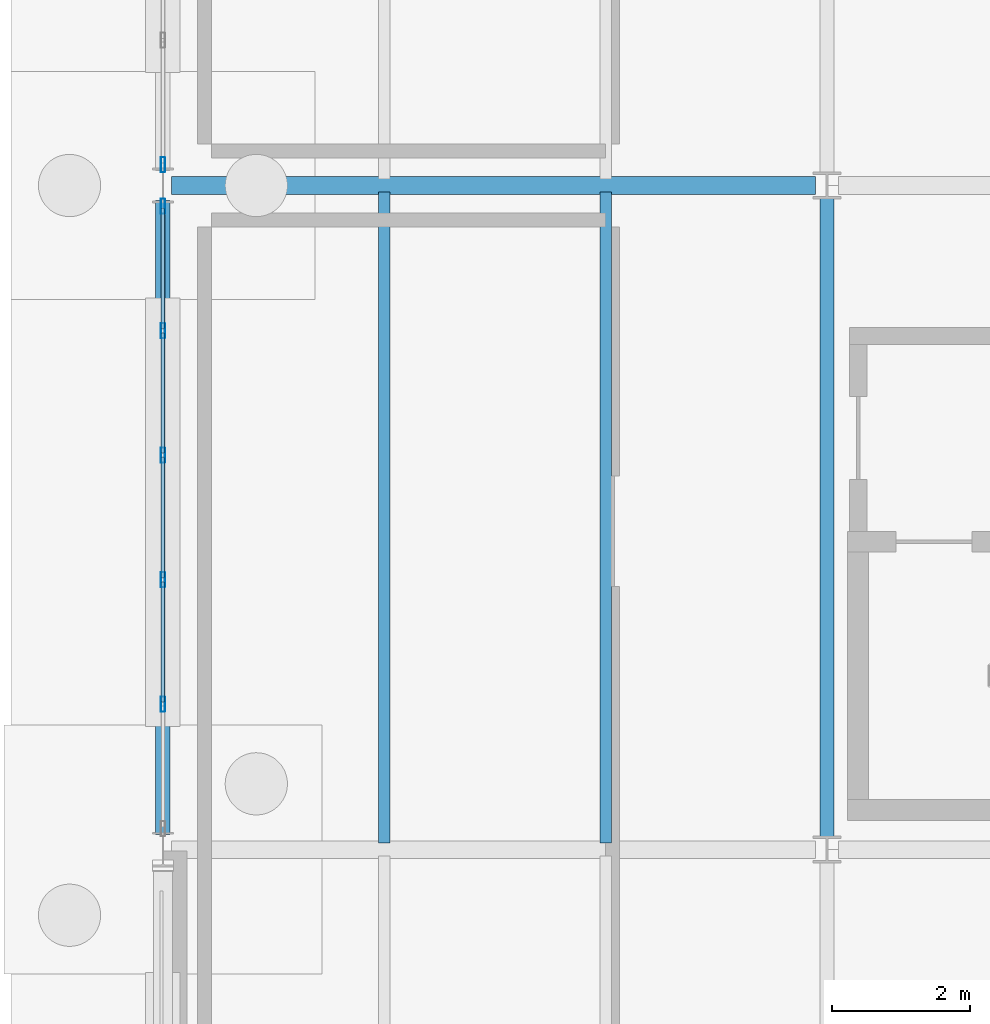
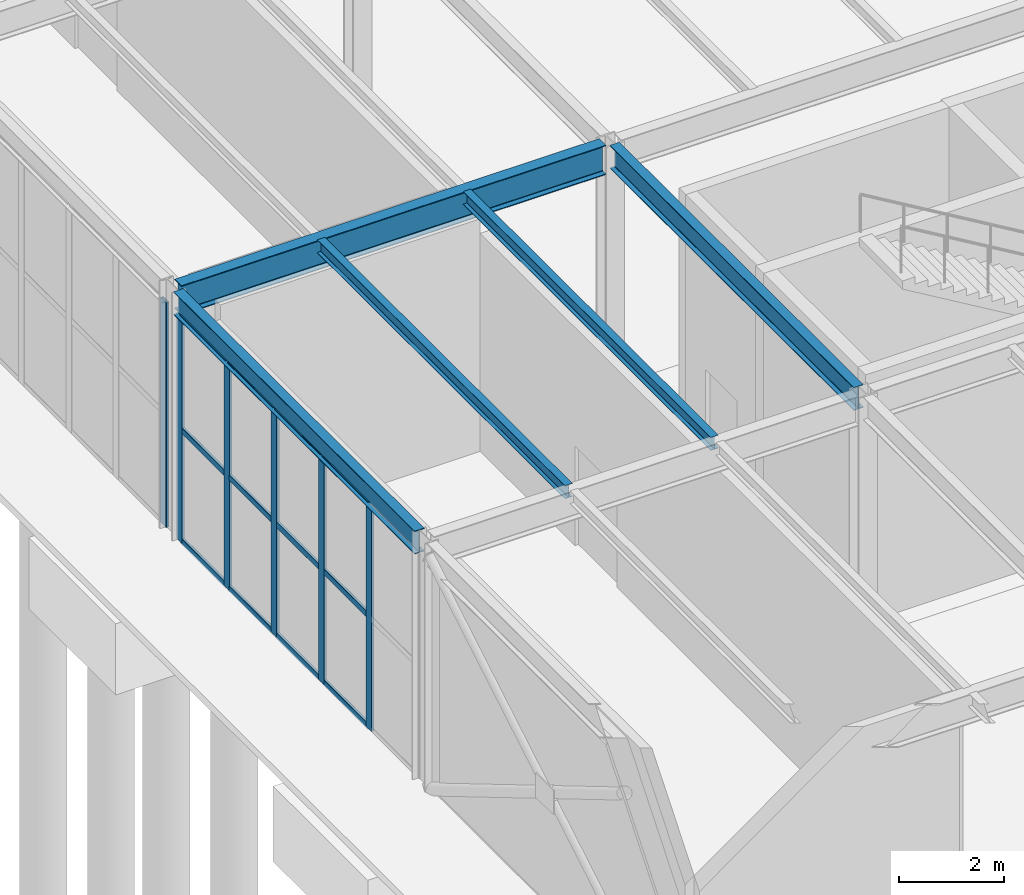
# One storey, part 46 of 142: 18 members, 5 beams, 2 elements without a shape of their own.
"""IFC4 building model written with IfcOpenShell, lengths in metres."""

from ifc_helpers import new_model, si_unit, direction, frame, origin, origin_2d, place, context, subcontext, project, spatial, hollow_rectangle, i_section, extrude, material, material_profile, profile_set, type_object, element, aggregate, save


model = new_model("IFC4")

# Units and contexts
model_context = context("Model", 3, precision=1e-05, world=origin(), true_north=direction((0.0, 1.0)))
body_context = subcontext(model_context, "Body", "Model", "MODEL_VIEW")
ifc_project = project(units=[si_unit("LENGTHUNIT", "METRE"), si_unit("AREAUNIT", "SQUARE_METRE"), si_unit("VOLUMEUNIT", "CUBIC_METRE"), si_unit("PLANEANGLEUNIT", "RADIAN"), si_unit("MASSUNIT", "GRAM", prefix="KILO")], contexts=[model_context])

# Site, building, storey
site_placement = place(None, origin())
site = spatial("IfcSite", under=ifc_project, at=site_placement, CompositionType="ELEMENT")
building_placement = place(site_placement, origin())
building = spatial("IfcBuilding", under=site, at=building_placement, Name="Coralgate Yard Interchange", CompositionType="ELEMENT")
storey_placement = place(building_placement, origin())
storey = spatial("IfcBuildingStorey", under=building, at=storey_placement, Name="L00", CompositionType="ELEMENT", Elevation=0.0)

# Beams
ifc_material_1 = material(Name="Structural steel S355J2", Category="steel")
ifc_material_profile_1 = material_profile(ifc_material_1, i_section(OverallWidth=0.209228515625, OverallDepth=0.533203125, WebThickness=0.010009765625, FlangeThickness=0.015625, FilletRadius=0.0126953125, at=origin_2d()), Name="UB 533x210x92")
ifc_profile_set_1 = profile_set([ifc_material_profile_1], Name="Structural steel S355J2")
beam_type_1 = type_object("IfcBeamType", Name="BM-SB-1", PredefinedType="BEAM", material=ifc_profile_set_1)
beam_1_placement = place(storey_placement, frame((0.0, 29.02001953125, 5.4833984375), z_axis=(0.0, 1.0, 0.0), x_axis=(-1.0, 0.0, 0.0)))
element("IfcBeam", 1, at=beam_1_placement, inside=storey, type_object=beam_type_1, Name="L00 primary grid girder X0 Y3-4", PredefinedType="BEAM", context=body_context, shape_type="SweptSolid", body=[
    extrude(i_section(OverallWidth=0.209228515625, OverallDepth=0.533203125, WebThickness=0.010009765625, FlangeThickness=0.015625, FilletRadius=0.0126953125, at=origin_2d()), origin(), (0.0, 0.0, 1.0), 9.159912109375),
])
beam_2_placement = place(storey_placement, frame((9.60009765625, 28.966796875, 5.4833984375), z_axis=(0.0, 1.0, 0.0), x_axis=(-1.0, 0.0, 0.0)))
element("IfcBeam", 2, at=beam_2_placement, inside=storey, type_object=beam_type_1, Name="L00 primary grid girder X1 Y3-4", PredefinedType="BEAM", context=body_context, shape_type="SweptSolid", body=[
    extrude(i_section(OverallWidth=0.209228515625, OverallDepth=0.533203125, WebThickness=0.010009765625, FlangeThickness=0.015625, FilletRadius=0.0126953125, at=origin_2d()), origin(), (0.0, 0.0, 1.0), 9.266357421875),
])
ifc_material_profile_2 = material_profile(ifc_material_1, i_section(OverallWidth=0.253662109375, OverallDepth=0.68359375, WebThickness=0.012451171875, FlangeThickness=0.01904296875, FilletRadius=0.01513671875, at=origin_2d()), Name="UB 686x254x140")
ifc_profile_set_2 = profile_set([ifc_material_profile_2], Name="Structural steel S355J2")
beam_type_2 = type_object("IfcBeamType", Name="BM-SG-4", PredefinedType="BEAM", material=ifc_profile_set_2)
beam_3_placement = place(storey_placement, frame((0.1201171875, 38.39990234375, 5.408203125), z_axis=(1.0, 0.0, 0.0), x_axis=(0.0, 1.0, 0.0)))
element("IfcBeam", 3, at=beam_3_placement, inside=storey, type_object=beam_type_2, Name="L00 primary grid beam Y4 X0-1", PredefinedType="BEAM", context=body_context, shape_type="SweptSolid", body=[
    extrude(i_section(OverallWidth=0.253662109375, OverallDepth=0.68359375, WebThickness=0.012451171875, FlangeThickness=0.01904296875, FilletRadius=0.01513671875, at=origin_2d()), origin(), (0.0, 0.0, 1.0), 9.310302734375),
])
ifc_material_profile_3 = material_profile(ifc_material_1, i_section(OverallWidth=0.1650390625, OverallDepth=0.303466796875, WebThickness=0.006103515625, FlangeThickness=0.01025390625, FilletRadius=0.0087890625, at=origin_2d()), Name="UB 305x165x40")
ifc_profile_set_3 = profile_set([ifc_material_profile_3], Name="Structural steel S355J2")
beam_type_3 = type_object("IfcBeamType", Name="BM-SJ-1", PredefinedType="JOIST", material=ifc_profile_set_3)
for number, where, z_axis, x_axis, name in (
    (4, (3.199951171875, 28.896728515625, 5.598388671875), (0.0, 1.0, 0.0), (-1.0, 0.0, 0.0), "L00 composite floor joist 0-3-1"),
    (5, (6.39990234375, 28.896728515625, 5.598388671875), (0.0, 1.0, 0.0), (-1.0, 0.0, 0.0), "L00 composite floor joist 0-3-2"),
):
    element("IfcBeam", number, at=place(storey_placement, frame(where, z_axis=z_axis, x_axis=x_axis)), inside=storey, type_object=beam_type_3, Name=name, PredefinedType="JOIST", context=body_context, shape_type="SweptSolid", body=[
        extrude(i_section(OverallWidth=0.1650390625, OverallDepth=0.303466796875, WebThickness=0.006103515625, FlangeThickness=0.01025390625, FilletRadius=0.0087890625, at=origin_2d()), origin(), (0.0, 0.0, 1.0), 9.40625),
    ])

# Curtain wall, members
ifc_material_2 = material(Name="Anodised coastal aluminium and solar-control low-E glass", Category="aluminium")
curtain_wall_type_1 = type_object("IfcCurtainWallType", Name="CW-CW-L00-A", PredefinedType="NOTDEFINED", material=ifc_material_2)
curtain_wall_1_placement = place(storey_placement, origin())
curtain_wall_1 = element("IfcCurtainWall", 6, at=curtain_wall_1_placement, inside=storey, type_object=curtain_wall_type_1, Name="L00 unitised curtain wall CW-L00-W-00-03", PredefinedType="NOTDEFINED")
ifc_material_3 = material(Name="Anodised coastal aluminium 6063-T6", Category="aluminium")
ifc_material_profile_4 = material_profile(ifc_material_3, hollow_rectangle(XDim=0.06005859375, YDim=0.219970703125, WallThickness=0.00390625, InnerFilletRadius=0.00390625, OuterFilletRadius=0.008056640625, at=origin_2d()), Name="ALU 60x220x4")
ifc_profile_set_4 = profile_set([ifc_material_profile_4], Name="Anodised coastal aluminium 6063-T6")
member_type_1 = type_object("IfcMemberType", Name="MB-MUL-220", PredefinedType="MULLION", material=ifc_profile_set_4)
member_1_placement = place(storey_placement, frame((0.0, 30.89990234375, 0.0), z_axis=(0.0, 0.0, 1.0), x_axis=(1.0, 0.0, 0.0)))
member_1 = element("IfcMember", 7, at=member_1_placement, type_object=member_type_1, Name="CW-L00-W-00-03 vertical mullion 2", PredefinedType="MULLION", context=body_context, shape_type="SweptSolid", body=[
    extrude(hollow_rectangle(XDim=0.06005859375, YDim=0.219970703125, WallThickness=0.00390625, InnerFilletRadius=0.00390625, OuterFilletRadius=0.008056640625, at=origin_2d()), origin(), (0.0, 0.0, 1.0), 5.216796875),
])
member_2_placement = place(storey_placement, frame((0.0, 32.699951171875, 0.0), z_axis=(0.0, 0.0, 1.0), x_axis=(1.0, 0.0, 0.0)))
member_2 = element("IfcMember", 8, at=member_2_placement, type_object=member_type_1, Name="CW-L00-W-00-03 vertical mullion 3", PredefinedType="MULLION", context=body_context, shape_type="SweptSolid", body=[
    extrude(hollow_rectangle(XDim=0.06005859375, YDim=0.219970703125, WallThickness=0.00390625, InnerFilletRadius=0.00390625, OuterFilletRadius=0.008056640625, at=origin_2d()), origin(), (0.0, 0.0, 1.0), 5.216796875),
])
member_3_placement = place(storey_placement, frame((0.0, 34.5, 0.0), z_axis=(0.0, 0.0, 1.0), x_axis=(1.0, 0.0, 0.0)))
member_3 = element("IfcMember", 9, at=member_3_placement, type_object=member_type_1, Name="CW-L00-W-00-03 vertical mullion 4", PredefinedType="MULLION", context=body_context, shape_type="SweptSolid", body=[
    extrude(hollow_rectangle(XDim=0.06005859375, YDim=0.219970703125, WallThickness=0.00390625, InnerFilletRadius=0.00390625, OuterFilletRadius=0.008056640625, at=origin_2d()), origin(), (0.0, 0.0, 1.0), 5.216796875),
])
member_4_placement = place(storey_placement, frame((0.0, 36.300048828125, 0.0), z_axis=(0.0, 0.0, 1.0), x_axis=(1.0, 0.0, 0.0)))
member_4 = element("IfcMember", 10, at=member_4_placement, type_object=member_type_1, Name="CW-L00-W-00-03 vertical mullion 5", PredefinedType="MULLION", context=body_context, shape_type="SweptSolid", body=[
    extrude(hollow_rectangle(XDim=0.06005859375, YDim=0.219970703125, WallThickness=0.00390625, InnerFilletRadius=0.00390625, OuterFilletRadius=0.008056640625, at=origin_2d()), origin(), (0.0, 0.0, 1.0), 5.216796875),
])
member_5_placement = place(storey_placement, frame((0.0, 38.10009765625, 0.0), z_axis=(0.0, 0.0, 1.0), x_axis=(1.0, 0.0, 0.0)))
member_5 = element("IfcMember", 11, at=member_5_placement, type_object=member_type_1, Name="CW-L00-W-00-03 vertical mullion 6", PredefinedType="MULLION", context=body_context, shape_type="SweptSolid", body=[
    extrude(hollow_rectangle(XDim=0.06005859375, YDim=0.219970703125, WallThickness=0.00390625, InnerFilletRadius=0.00390625, OuterFilletRadius=0.008056640625, at=origin_2d()), origin(), (0.0, 0.0, 1.0), 5.216796875),
])

# Curtain wall, member
curtain_wall_type_2 = type_object("IfcCurtainWallType", Name="CW-CW-L00-B", PredefinedType="NOTDEFINED", material=ifc_material_2)
curtain_wall_2_placement = place(storey_placement, origin())
curtain_wall_2 = element("IfcCurtainWall", 12, at=curtain_wall_2_placement, inside=storey, type_object=curtain_wall_type_2, Name="L00 unitised curtain wall CW-L00-W-00-04", PredefinedType="NOTDEFINED")
member_6_placement = place(storey_placement, frame((0.0, 38.699951171875, 0.0), z_axis=(0.0, 0.0, 1.0), x_axis=(1.0, 0.0, 0.0)))
member_6 = element("IfcMember", 13, at=member_6_placement, type_object=member_type_1, Name="CW-L00-W-00-04 vertical mullion 1", PredefinedType="MULLION", context=body_context, shape_type="SweptSolid", body=[
    extrude(hollow_rectangle(XDim=0.06005859375, YDim=0.219970703125, WallThickness=0.00390625, InnerFilletRadius=0.00390625, OuterFilletRadius=0.008056640625, at=origin_2d()), origin(), (0.0, 0.0, 1.0), 5.216796875),
])
aggregate(curtain_wall_2, [member_6])

# Member
ifc_material_profile_5 = material_profile(ifc_material_3, hollow_rectangle(XDim=0.06005859375, YDim=0.139892578125, WallThickness=0.00341796875, InnerFilletRadius=0.00341796875, OuterFilletRadius=0.007080078125, at=origin_2d()), Name="ALU 60x140x3.5")
ifc_profile_set_5 = profile_set([ifc_material_profile_5], Name="Anodised coastal aluminium 6063-T6")
member_type_2 = type_object("IfcMemberType", Name="MB-TRN-140", PredefinedType="USERDEFINED", material=ifc_profile_set_5)
member_7_placement = place(storey_placement, frame((0.0, 30.929931640625, 0.034912109375), z_axis=(0.0, 1.0, 0.0), x_axis=(-1.0, 0.0, 0.0)))
member_7 = element("IfcMember", 14, at=member_7_placement, type_object=member_type_2, Name="CW-L00-W-00-03 horizontal transom 2-1", ObjectType="TRANSOM", PredefinedType="USERDEFINED", context=body_context, shape_type="SweptSolid", body=[
    extrude(hollow_rectangle(XDim=0.06005859375, YDim=0.139892578125, WallThickness=0.00341796875, InnerFilletRadius=0.00341796875, OuterFilletRadius=0.007080078125, at=origin_2d()), origin(), (0.0, 0.0, 1.0), 1.739990234375),
])

member_8_placement = place(storey_placement, frame((0.0, 30.929931640625, 2.6083984375), z_axis=(0.0, 1.0, 0.0), x_axis=(-1.0, 0.0, 0.0)))
member_8 = element("IfcMember", 15, at=member_8_placement, type_object=member_type_2, Name="CW-L00-W-00-03 horizontal transom 2-2", ObjectType="TRANSOM", PredefinedType="USERDEFINED", context=body_context, shape_type="SweptSolid", body=[
    extrude(hollow_rectangle(XDim=0.06005859375, YDim=0.139892578125, WallThickness=0.00341796875, InnerFilletRadius=0.00341796875, OuterFilletRadius=0.007080078125, at=origin_2d()), origin(), (0.0, 0.0, 1.0), 1.739990234375),
])

member_9_placement = place(storey_placement, frame((0.0, 30.929931640625, 5.181884765625), z_axis=(0.0, 1.0, 0.0), x_axis=(-1.0, 0.0, 0.0)))
member_9 = element("IfcMember", 16, at=member_9_placement, type_object=member_type_2, Name="CW-L00-W-00-03 horizontal transom 2-3", ObjectType="TRANSOM", PredefinedType="USERDEFINED", context=body_context, shape_type="SweptSolid", body=[
    extrude(hollow_rectangle(XDim=0.06005859375, YDim=0.139892578125, WallThickness=0.00341796875, InnerFilletRadius=0.00341796875, OuterFilletRadius=0.007080078125, at=origin_2d()), origin(), (0.0, 0.0, 1.0), 1.739990234375),
])

member_10_placement = place(storey_placement, frame((0.0, 32.72998046875, 0.034912109375), z_axis=(0.0, 1.0, 0.0), x_axis=(-1.0, 0.0, 0.0)))
member_10 = element("IfcMember", 17, at=member_10_placement, type_object=member_type_2, Name="CW-L00-W-00-03 horizontal transom 3-1", ObjectType="TRANSOM", PredefinedType="USERDEFINED", context=body_context, shape_type="SweptSolid", body=[
    extrude(hollow_rectangle(XDim=0.06005859375, YDim=0.139892578125, WallThickness=0.00341796875, InnerFilletRadius=0.00341796875, OuterFilletRadius=0.007080078125, at=origin_2d()), origin(), (0.0, 0.0, 1.0), 1.739990234375),
])

member_11_placement = place(storey_placement, frame((0.0, 32.72998046875, 2.6083984375), z_axis=(0.0, 1.0, 0.0), x_axis=(-1.0, 0.0, 0.0)))
member_11 = element("IfcMember", 18, at=member_11_placement, type_object=member_type_2, Name="CW-L00-W-00-03 horizontal transom 3-2", ObjectType="TRANSOM", PredefinedType="USERDEFINED", context=body_context, shape_type="SweptSolid", body=[
    extrude(hollow_rectangle(XDim=0.06005859375, YDim=0.139892578125, WallThickness=0.00341796875, InnerFilletRadius=0.00341796875, OuterFilletRadius=0.007080078125, at=origin_2d()), origin(), (0.0, 0.0, 1.0), 1.739990234375),
])

member_12_placement = place(storey_placement, frame((0.0, 32.72998046875, 5.181884765625), z_axis=(0.0, 1.0, 0.0), x_axis=(-1.0, 0.0, 0.0)))
member_12 = element("IfcMember", 19, at=member_12_placement, type_object=member_type_2, Name="CW-L00-W-00-03 horizontal transom 3-3", ObjectType="TRANSOM", PredefinedType="USERDEFINED", context=body_context, shape_type="SweptSolid", body=[
    extrude(hollow_rectangle(XDim=0.06005859375, YDim=0.139892578125, WallThickness=0.00341796875, InnerFilletRadius=0.00341796875, OuterFilletRadius=0.007080078125, at=origin_2d()), origin(), (0.0, 0.0, 1.0), 1.739990234375),
])

member_13_placement = place(storey_placement, frame((0.0, 34.530029296875, 0.034912109375), z_axis=(0.0, 1.0, 0.0), x_axis=(-1.0, 0.0, 0.0)))
member_13 = element("IfcMember", 20, at=member_13_placement, type_object=member_type_2, Name="CW-L00-W-00-03 horizontal transom 4-1", ObjectType="TRANSOM", PredefinedType="USERDEFINED", context=body_context, shape_type="SweptSolid", body=[
    extrude(hollow_rectangle(XDim=0.06005859375, YDim=0.139892578125, WallThickness=0.00341796875, InnerFilletRadius=0.00341796875, OuterFilletRadius=0.007080078125, at=origin_2d()), origin(), (0.0, 0.0, 1.0), 1.739990234375),
])

member_14_placement = place(storey_placement, frame((0.0, 34.530029296875, 2.6083984375), z_axis=(0.0, 1.0, 0.0), x_axis=(-1.0, 0.0, 0.0)))
member_14 = element("IfcMember", 21, at=member_14_placement, type_object=member_type_2, Name="CW-L00-W-00-03 horizontal transom 4-2", ObjectType="TRANSOM", PredefinedType="USERDEFINED", context=body_context, shape_type="SweptSolid", body=[
    extrude(hollow_rectangle(XDim=0.06005859375, YDim=0.139892578125, WallThickness=0.00341796875, InnerFilletRadius=0.00341796875, OuterFilletRadius=0.007080078125, at=origin_2d()), origin(), (0.0, 0.0, 1.0), 1.739990234375),
])

member_15_placement = place(storey_placement, frame((0.0, 34.530029296875, 5.181884765625), z_axis=(0.0, 1.0, 0.0), x_axis=(-1.0, 0.0, 0.0)))
member_15 = element("IfcMember", 22, at=member_15_placement, type_object=member_type_2, Name="CW-L00-W-00-03 horizontal transom 4-3", ObjectType="TRANSOM", PredefinedType="USERDEFINED", context=body_context, shape_type="SweptSolid", body=[
    extrude(hollow_rectangle(XDim=0.06005859375, YDim=0.139892578125, WallThickness=0.00341796875, InnerFilletRadius=0.00341796875, OuterFilletRadius=0.007080078125, at=origin_2d()), origin(), (0.0, 0.0, 1.0), 1.739990234375),
])

member_16_placement = place(storey_placement, frame((0.0, 36.330078125, 0.034912109375), z_axis=(0.0, 1.0, 0.0), x_axis=(-1.0, 0.0, 0.0)))
member_16 = element("IfcMember", 23, at=member_16_placement, type_object=member_type_2, Name="CW-L00-W-00-03 horizontal transom 5-1", ObjectType="TRANSOM", PredefinedType="USERDEFINED", context=body_context, shape_type="SweptSolid", body=[
    extrude(hollow_rectangle(XDim=0.06005859375, YDim=0.139892578125, WallThickness=0.00341796875, InnerFilletRadius=0.00341796875, OuterFilletRadius=0.007080078125, at=origin_2d()), origin(), (0.0, 0.0, 1.0), 1.739990234375),
])

member_17_placement = place(storey_placement, frame((0.0, 36.330078125, 2.6083984375), z_axis=(0.0, 1.0, 0.0), x_axis=(-1.0, 0.0, 0.0)))
member_17 = element("IfcMember", 24, at=member_17_placement, type_object=member_type_2, Name="CW-L00-W-00-03 horizontal transom 5-2", ObjectType="TRANSOM", PredefinedType="USERDEFINED", context=body_context, shape_type="SweptSolid", body=[
    extrude(hollow_rectangle(XDim=0.06005859375, YDim=0.139892578125, WallThickness=0.00341796875, InnerFilletRadius=0.00341796875, OuterFilletRadius=0.007080078125, at=origin_2d()), origin(), (0.0, 0.0, 1.0), 1.739990234375),
])

member_18_placement = place(storey_placement, frame((0.0, 36.330078125, 5.181884765625), z_axis=(0.0, 1.0, 0.0), x_axis=(-1.0, 0.0, 0.0)))
member_18 = element("IfcMember", 25, at=member_18_placement, type_object=member_type_2, Name="CW-L00-W-00-03 horizontal transom 5-3", ObjectType="TRANSOM", PredefinedType="USERDEFINED", context=body_context, shape_type="SweptSolid", body=[
    extrude(hollow_rectangle(XDim=0.06005859375, YDim=0.139892578125, WallThickness=0.00341796875, InnerFilletRadius=0.00341796875, OuterFilletRadius=0.007080078125, at=origin_2d()), origin(), (0.0, 0.0, 1.0), 1.739990234375),
])

aggregate(curtain_wall_1, [member_1, member_2, member_3, member_4, member_5, member_7, member_8, member_9, member_10, member_11, member_12, member_13, member_14, member_15, member_16, member_17, member_18])

save(model, "model.ifc")
